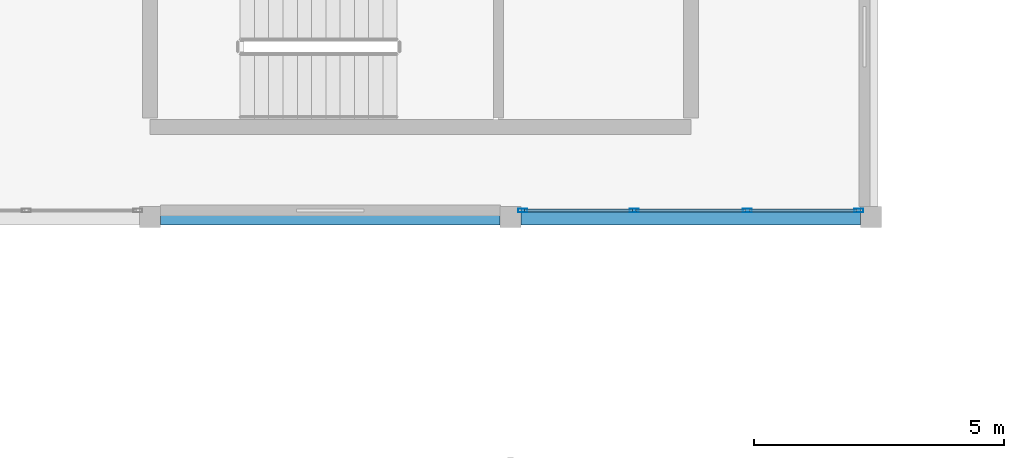
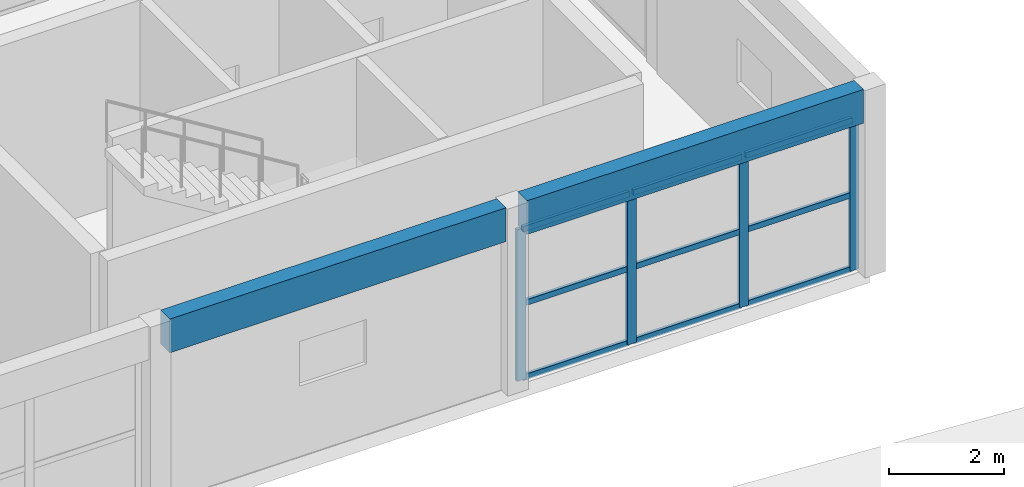
# One storey, part 34 of 68: 13 members, 2 beams, 1 element without a shape of its own.
"""IFC4 building model written with IfcOpenShell, lengths in metres."""

import ifcopenshell
import ifcopenshell.guid

model = None  # the IFC model being written
_history = None  # IfcOwnerHistory: only IFC2X3 demands one
_inside = {}  # id of a spatial element -> (the spatial element, [elements in it])
_under = {}  # id of a project, library or spatial element -> (it, [spatial elements below it])
_declared = {}  # id of a project -> (the project, [libraries it declares])
_typed = {}  # id of a type object -> (the type object, [elements of that type])
_made_of = {}  # id of a material, layer set ... -> (it, [elements and type objects made of it])


def new_model(schema):
    """Start an empty IFC model of exactly this schema.

    Asked for "IFC4X3", IfcOpenShell would pick the latest addendum, in which some entities
    have other attributes; the version numbers below select the first issue.
    IFC2X3 requires an IfcOwnerHistory on every rooted entity: one is made here for all.
    """
    global model, _history
    if schema == "IFC4X3":
        model = ifcopenshell.file(schema_version=(4, 3, 0, 0))
    else:
        model = ifcopenshell.file(schema=schema)
    _inside.clear()
    _under.clear()
    _declared.clear()
    _typed.clear()
    _made_of.clear()
    _history = None
    if model.schema == "IFC2X3":
        org = make("IfcOrganization", Name="unknown")
        user = make(
            "IfcPersonAndOrganization",
            ThePerson=make("IfcPerson", FamilyName="unknown"),
            TheOrganization=org,
        )
        app = make(
            "IfcApplication",
            ApplicationDeveloper=org,
            Version="unknown",
            ApplicationFullName="unknown",
            ApplicationIdentifier="unknown",
        )
        _history = make(
            "IfcOwnerHistory",
            OwningUser=user,
            OwningApplication=app,
            ChangeAction="ADDED",
            CreationDate=0,
        )
    return model


def make(cls, **values):
    """One entity of the class cls with the attributes given. An attribute that is None is left unset."""
    return model.create_entity(
        cls, **{name: value for name, value in values.items() if value is not None}
    )


def rooted(cls, **values):
    """An entity with a GlobalId (a new one), such as an element, a storey or a relation."""
    return make(cls, GlobalId=ifcopenshell.guid.new(), OwnerHistory=_history, **values)


def si_unit(unit_type, name, prefix=None):
    """IfcSIUnit, for example si_unit("LENGTHUNIT", "METRE", prefix="MILLI")."""
    return make("IfcSIUnit", UnitType=unit_type, Prefix=prefix, Name=name)


def assignment(units):
    """IfcUnitAssignment: the units of a project."""
    return None if units is None else make("IfcUnitAssignment", Units=units)


def point(xyz):
    """IfcCartesianPoint."""
    return None if xyz is None else make("IfcCartesianPoint", Coordinates=xyz)


def direction(xyz):
    """IfcDirection."""
    return None if xyz is None else make("IfcDirection", DirectionRatios=xyz)


def frame(location, z_axis=None, x_axis=None):
    """IfcAxis2Placement3D, a coordinate frame: its origin and axes. An axis left out is left unset."""
    return make(
        "IfcAxis2Placement3D",
        Location=point(location),
        Axis=direction(z_axis),
        RefDirection=direction(x_axis),
    )


def frame_2d(location, x_axis=None):
    """IfcAxis2Placement2D, a coordinate frame in the plane: its origin and x axis."""
    return make(
        "IfcAxis2Placement2D", Location=point(location), RefDirection=direction(x_axis)
    )


def origin():
    """The frame at (0, 0, 0) with its axes left unset."""
    return frame((0.0, 0.0, 0.0))


def origin_2d():
    """The frame at (0, 0) in the plane with its x axis left unset."""
    return frame_2d((0.0, 0.0))


def place(relative_to, where):
    """IfcLocalPlacement: puts the frame where relative to a parent placement (None: the world)."""
    return make(
        "IfcLocalPlacement", PlacementRelTo=relative_to, RelativePlacement=where
    )


def context(
    kind, dimensions, precision=None, world=None, true_north=None, identifier=None
):
    """IfcGeometricRepresentationContext, for example the 3D "Model" context."""
    return make(
        "IfcGeometricRepresentationContext",
        ContextIdentifier=identifier,
        ContextType=kind,
        CoordinateSpaceDimension=dimensions,
        Precision=precision,
        WorldCoordinateSystem=world,
        TrueNorth=true_north,
    )


def subcontext(parent, identifier, kind, view, scale=None):
    """IfcGeometricRepresentationSubContext, for example "Body" below "Model"."""
    return make(
        "IfcGeometricRepresentationSubContext",
        ContextIdentifier=identifier,
        ContextType=kind,
        ParentContext=parent,
        TargetScale=scale,
        TargetView=view,
    )


def project(units=None, contexts=None):
    """IfcProject with its units and contexts."""
    return rooted(
        "IfcProject",
        Name="project",
        RepresentationContexts=contexts,
        UnitsInContext=assignment(units),
    )


def spatial(cls, under=None, at=None, **own):
    """A site, building, storey or space (cls), placed at a placement, below another one or the project."""
    s = rooted(cls, ObjectPlacement=at, **own)
    if under is not None:
        _under.setdefault(under.id(), (under, []))[1].append(s)
    return s


def profile(cls, at=None, kind="AREA", **sizes):
    """A parametric profile (cls). Its sizes go by their IFC names, for example OverallWidth=200.0."""
    return make(cls, ProfileType=kind, Position=at, **sizes)


def rectangle(**sizes):
    """IfcRectangleProfileDef."""
    return profile("IfcRectangleProfileDef", **sizes)


def hollow_rectangle(**sizes):
    """IfcRectangleHollowProfileDef."""
    return profile("IfcRectangleHollowProfileDef", **sizes)


def extrude(swept, where, along, depth):
    """IfcExtrudedAreaSolid: the profile swept, set in the frame where, extruded along a direction by depth."""
    return make(
        "IfcExtrudedAreaSolid",
        SweptArea=swept,
        Position=where,
        ExtrudedDirection=direction(along),
        Depth=depth,
    )


def shape(context_of_items, identifier, shape_type, items):
    """IfcShapeRepresentation: the items that make up one representation, for example the "Body"."""
    return make(
        "IfcShapeRepresentation",
        ContextOfItems=context_of_items,
        RepresentationIdentifier=identifier,
        RepresentationType=shape_type,
        Items=items,
    )


def material(Name=None, Category=None):
    """IfcMaterial."""
    return make("IfcMaterial", Name=Name, Category=Category)


def material_profile(
    of_material, cross_section, Name=None, Category=None, Priority=None
):
    """IfcMaterialProfile: a cross section and its material."""
    return make(
        "IfcMaterialProfile",
        Name=Name,
        Material=of_material,
        Profile=cross_section,
        Priority=Priority,
        Category=Category,
    )


def profile_set(profiles, Name=None, composite=None):
    """IfcMaterialProfileSet."""
    return make(
        "IfcMaterialProfileSet",
        Name=Name,
        MaterialProfiles=profiles,
        CompositeProfile=composite,
    )


def made_of(thing, what):
    """Note that an element or type object is made of a material, layer set ...; save() writes the relation."""
    if what is not None:
        _made_of.setdefault(what.id(), (what, []))[1].append(thing)
    return thing


def type_object(cls, material=None, **own):
    """A type object (cls), such as IfcWallType, which elements share."""
    return made_of(rooted(cls, **own), material)


def element(
    cls,
    number,
    at=None,
    inside=None,
    cuts=None,
    type_object=None,
    material=None,
    context=None,
    identifier="Body",
    shape_type=None,
    held_by="IfcProductDefinitionShape",
    body=None,
    shapes=None,
    **own,
):
    """One element of the class cls, such as IfcWall. Its Tag is "e" and its number.

    at: its placement. inside: the storey or other place that contains it. cuts: it is an
    opening in that element (IfcRelVoidsElement). A single representation is given by context,
    identifier, shape_type and body (its items); several are given by shapes. held_by: the class
    of the entity that holds the representations. save() writes the other relations.
    """
    e = rooted(cls, Tag="e%d" % number, ObjectPlacement=at, **own)
    if body is not None:
        shapes = [shape(context, identifier, shape_type, body)]
    if shapes is not None:
        e.Representation = make(held_by, Representations=shapes)
    if inside is not None:
        _inside.setdefault(inside.id(), (inside, []))[1].append(e)
    if cuts is not None:
        rooted(
            "IfcRelVoidsElement", RelatingBuildingElement=cuts, RelatedOpeningElement=e
        )
    if type_object is not None:
        _typed.setdefault(type_object.id(), (type_object, []))[1].append(e)
    return made_of(e, material)


def aggregate(whole, parts):
    """IfcRelAggregates: a whole, such as a stair, and the parts it consists of."""
    return rooted("IfcRelAggregates", RelatingObject=whole, RelatedObjects=parts)


def save(model, path):
    """Write the relations noted so far, then the file.

    IfcRelAggregates (storeys below a building ...), IfcRelContainedInSpatialStructure (elements
    in a storey), IfcRelDefinesByType, IfcRelAssociatesMaterial and IfcRelDeclares: one each for
    every whole, place, type object, material and project.
    """
    for whole, parts in _under.values():
        aggregate(whole, parts)
    for where, things in _inside.values():
        rooted(
            "IfcRelContainedInSpatialStructure",
            RelatedElements=things,
            RelatingStructure=where,
        )
    for kind, things in _typed.values():
        rooted("IfcRelDefinesByType", RelatedObjects=things, RelatingType=kind)
    for what, things in _made_of.values():
        rooted("IfcRelAssociatesMaterial", RelatedObjects=things, RelatingMaterial=what)
    for by, libraries in _declared.values():
        rooted("IfcRelDeclares", RelatingContext=by, RelatedDefinitions=libraries)
    model.write(path)


model = new_model("IFC4")

# Units and contexts
model_context = context("Model", 3, precision=1e-05, world=origin(), true_north=direction((0.0, 1.0)))
body_context = subcontext(model_context, "Body", "Model", "MODEL_VIEW")
ifc_project = project(units=[si_unit("LENGTHUNIT", "METRE"), si_unit("AREAUNIT", "SQUARE_METRE"), si_unit("VOLUMEUNIT", "CUBIC_METRE"), si_unit("PLANEANGLEUNIT", "RADIAN"), si_unit("MASSUNIT", "GRAM", prefix="KILO")], contexts=[model_context])

# Site, building, storey
site_placement = place(None, origin())
site = spatial("IfcSite", under=ifc_project, at=site_placement, CompositionType="ELEMENT")
building_placement = place(site_placement, origin())
building = spatial("IfcBuilding", under=site, at=building_placement, Name="Bramvelor Terrace Health Centre", CompositionType="ELEMENT")
storey_placement = place(building_placement, frame((0.0, 0.0, 9.300048828125)))
storey = spatial("IfcBuildingStorey", under=building, at=storey_placement, Name="L03", CompositionType="ELEMENT", Elevation=9.300048828125)

# Beams
ifc_material_1 = material(Name="Glulam GL28h", Category="wood")
ifc_material_profile_1 = material_profile(ifc_material_1, rectangle(XDim=0.320068359375, YDim=0.719970703125, at=origin_2d()), Name="GL 320x720")
ifc_profile_set_1 = profile_set([ifc_material_profile_1], Name="Glulam GL28h")
beam_type = type_object("IfcBeamType", Name="BM-GL-G720", PredefinedType="BEAM", material=ifc_profile_set_1)
beam_1_placement = place(storey_placement, frame((79.409912109375, 86.39990234375, 3.6298828125), z_axis=(1.0, 0.0, 0.0), x_axis=(0.0, 1.0, 0.0)))
element("IfcBeam", 1, at=beam_1_placement, inside=storey, type_object=beam_type, Name="L03 Floor Girder", PredefinedType="BEAM", context=body_context, shape_type="SweptSolid", body=[
    extrude(rectangle(XDim=0.320068359375, YDim=0.719970703125, at=origin_2d()), origin(), (0.0, 0.0, 1.0), 6.780029296875),
])
beam_2_placement = place(storey_placement, frame((86.610107421875, 86.39990234375, 3.6298828125), z_axis=(1.0, 0.0, 0.0), x_axis=(0.0, 1.0, 0.0)))
element("IfcBeam", 2, at=beam_2_placement, inside=storey, type_object=beam_type, Name="L03 Floor Girder", PredefinedType="BEAM", context=body_context, shape_type="SweptSolid", body=[
    extrude(rectangle(XDim=0.320068359375, YDim=0.719970703125, at=origin_2d()), origin(), (0.0, 0.0, 1.0), 6.77978515625),
])

# Curtain wall, members
ifc_material_2 = material(Name="Anodized aluminium and double low-E glass", Category="aluminium")
curtain_wall_type = type_object("IfcCurtainWallType", Name="CW-SYS-27", PredefinedType="NOTDEFINED", material=ifc_material_2)
curtain_wall_placement = place(storey_placement, origin())
curtain_wall = element("IfcCurtainWall", 3, at=curtain_wall_placement, inside=storey, type_object=curtain_wall_type, Name="L03 Unitized Curtain Wall 179", PredefinedType="NOTDEFINED")
ifc_material_3 = material(Name="Anodized aluminium 6063-T6", Category="aluminium")
ifc_material_profile_2 = material_profile(ifc_material_3, hollow_rectangle(XDim=0.074951171875, YDim=0.179931640625, WallThickness=0.00341796875, at=origin_2d()), Name="ALU-MUL 75x180x3.5")
ifc_profile_set_2 = profile_set([ifc_material_profile_2], Name="Anodized aluminium 6063-T6")
member_type_1 = type_object("IfcMemberType", Name="CW-MUL-65x180", PredefinedType="MULLION", material=ifc_profile_set_2)
member_1_placement = place(storey_placement, frame((93.357421875, 86.530029296875, 0.0), z_axis=(0.0, 0.0, 1.0), x_axis=(0.0, -1.0, 0.0)))
member_1 = element("IfcMember", 4, at=member_1_placement, type_object=member_type_1, Name="CW-27 mullion 1", PredefinedType="MULLION", context=body_context, shape_type="SweptSolid", body=[
    extrude(hollow_rectangle(XDim=0.074951171875, YDim=0.179931640625, WallThickness=0.00341796875, at=origin_2d()), origin(), (0.0, 0.0, 1.0), 3.22998046875),
])
member_2_placement = place(storey_placement, frame((91.131591796875, 86.530029296875, 0.0), z_axis=(0.0, 0.0, 1.0), x_axis=(0.0, -1.0, 0.0)))
member_2 = element("IfcMember", 5, at=member_2_placement, type_object=member_type_1, Name="CW-27 mullion 2", PredefinedType="MULLION", context=body_context, shape_type="SweptSolid", body=[
    extrude(hollow_rectangle(XDim=0.074951171875, YDim=0.179931640625, WallThickness=0.00341796875, at=origin_2d()), origin(), (0.0, 0.0, 1.0), 3.22998046875),
])
member_3_placement = place(storey_placement, frame((88.868408203125, 86.530029296875, 0.0), z_axis=(0.0, 0.0, 1.0), x_axis=(0.0, -1.0, 0.0)))
member_3 = element("IfcMember", 6, at=member_3_placement, type_object=member_type_1, Name="CW-27 mullion 3", PredefinedType="MULLION", context=body_context, shape_type="SweptSolid", body=[
    extrude(hollow_rectangle(XDim=0.074951171875, YDim=0.179931640625, WallThickness=0.00341796875, at=origin_2d()), origin(), (0.0, 0.0, 1.0), 3.22998046875),
])
member_4_placement = place(storey_placement, frame((86.642578125, 86.530029296875, 0.0), z_axis=(0.0, 0.0, 1.0), x_axis=(0.0, -1.0, 0.0)))
member_4 = element("IfcMember", 7, at=member_4_placement, type_object=member_type_1, Name="CW-27 mullion 4", PredefinedType="MULLION", context=body_context, shape_type="SweptSolid", body=[
    extrude(hollow_rectangle(XDim=0.074951171875, YDim=0.179931640625, WallThickness=0.00341796875, at=origin_2d()), origin(), (0.0, 0.0, 1.0), 3.22998046875),
])
ifc_material_4 = material(Name="Anodized aluminium 6063-T6", Category="aluminium")
ifc_material_profile_3 = material_profile(ifc_material_4, hollow_rectangle(XDim=0.06494140625, YDim=0.1201171875, WallThickness=0.0029296875, at=origin_2d()), Name="ALU-TRN 65x120x3.0")
ifc_profile_set_3 = profile_set([ifc_material_profile_3], Name="Anodized aluminium 6063-T6")
member_type_2 = type_object("IfcMemberType", Name="CW-TRN-65x150", PredefinedType="USERDEFINED", material=ifc_profile_set_3)
member_5_placement = place(storey_placement, frame((93.320068359375, 86.530029296875, 0.032470703125), z_axis=(-1.0, 0.0, 0.0), x_axis=(0.0, -1.0, 0.0)))
member_5 = element("IfcMember", 8, at=member_5_placement, type_object=member_type_2, Name="CW-27 transom 1.1", ObjectType="TRANSOM", PredefinedType="USERDEFINED", context=body_context, shape_type="SweptSolid", body=[
    extrude(hollow_rectangle(XDim=0.06494140625, YDim=0.1201171875, WallThickness=0.0029296875, at=origin_2d()), origin(), (0.0, 0.0, 1.0), 2.15087890625),
])
member_6_placement = place(storey_placement, frame((93.320068359375, 86.530029296875, 1.614990234375), z_axis=(-1.0, 0.0, 0.0), x_axis=(0.0, -1.0, 0.0)))
member_6 = element("IfcMember", 9, at=member_6_placement, type_object=member_type_2, Name="CW-27 transom 1.2", ObjectType="TRANSOM", PredefinedType="USERDEFINED", context=body_context, shape_type="SweptSolid", body=[
    extrude(hollow_rectangle(XDim=0.06494140625, YDim=0.1201171875, WallThickness=0.0029296875, at=origin_2d()), origin(), (0.0, 0.0, 1.0), 2.15087890625),
])
member_7_placement = place(storey_placement, frame((93.320068359375, 86.530029296875, 3.197509765625), z_axis=(-1.0, 0.0, 0.0), x_axis=(0.0, -1.0, 0.0)))
member_7 = element("IfcMember", 10, at=member_7_placement, type_object=member_type_2, Name="CW-27 transom 1.3", ObjectType="TRANSOM", PredefinedType="USERDEFINED", context=body_context, shape_type="SweptSolid", body=[
    extrude(hollow_rectangle(XDim=0.06494140625, YDim=0.1201171875, WallThickness=0.0029296875, at=origin_2d()), origin(), (0.0, 0.0, 1.0), 2.15087890625),
])
member_8_placement = place(storey_placement, frame((91.09423828125, 86.530029296875, 0.032470703125), z_axis=(-1.0, 0.0, 0.0), x_axis=(0.0, -1.0, 0.0)))
member_8 = element("IfcMember", 11, at=member_8_placement, type_object=member_type_2, Name="CW-27 transom 2.1", ObjectType="TRANSOM", PredefinedType="USERDEFINED", context=body_context, shape_type="SweptSolid", body=[
    extrude(hollow_rectangle(XDim=0.06494140625, YDim=0.1201171875, WallThickness=0.0029296875, at=origin_2d()), origin(), (0.0, 0.0, 1.0), 2.1884765625),
])
member_9_placement = place(storey_placement, frame((91.09423828125, 86.530029296875, 1.614990234375), z_axis=(-1.0, 0.0, 0.0), x_axis=(0.0, -1.0, 0.0)))
member_9 = element("IfcMember", 12, at=member_9_placement, type_object=member_type_2, Name="CW-27 transom 2.2", ObjectType="TRANSOM", PredefinedType="USERDEFINED", context=body_context, shape_type="SweptSolid", body=[
    extrude(hollow_rectangle(XDim=0.06494140625, YDim=0.1201171875, WallThickness=0.0029296875, at=origin_2d()), origin(), (0.0, 0.0, 1.0), 2.1884765625),
])
member_10_placement = place(storey_placement, frame((91.09423828125, 86.530029296875, 3.197509765625), z_axis=(-1.0, 0.0, 0.0), x_axis=(0.0, -1.0, 0.0)))
member_10 = element("IfcMember", 13, at=member_10_placement, type_object=member_type_2, Name="CW-27 transom 2.3", ObjectType="TRANSOM", PredefinedType="USERDEFINED", context=body_context, shape_type="SweptSolid", body=[
    extrude(hollow_rectangle(XDim=0.06494140625, YDim=0.1201171875, WallThickness=0.0029296875, at=origin_2d()), origin(), (0.0, 0.0, 1.0), 2.1884765625),
])
member_11_placement = place(storey_placement, frame((88.830810546875, 86.530029296875, 0.032470703125), z_axis=(-1.0, 0.0, 0.0), x_axis=(0.0, -1.0, 0.0)))
member_11 = element("IfcMember", 14, at=member_11_placement, type_object=member_type_2, Name="CW-27 transom 3.1", ObjectType="TRANSOM", PredefinedType="USERDEFINED", context=body_context, shape_type="SweptSolid", body=[
    extrude(hollow_rectangle(XDim=0.06494140625, YDim=0.1201171875, WallThickness=0.0029296875, at=origin_2d()), origin(), (0.0, 0.0, 1.0), 2.15087890625),
])
member_12_placement = place(storey_placement, frame((88.830810546875, 86.530029296875, 1.614990234375), z_axis=(-1.0, 0.0, 0.0), x_axis=(0.0, -1.0, 0.0)))
member_12 = element("IfcMember", 15, at=member_12_placement, type_object=member_type_2, Name="CW-27 transom 3.2", ObjectType="TRANSOM", PredefinedType="USERDEFINED", context=body_context, shape_type="SweptSolid", body=[
    extrude(hollow_rectangle(XDim=0.06494140625, YDim=0.1201171875, WallThickness=0.0029296875, at=origin_2d()), origin(), (0.0, 0.0, 1.0), 2.15087890625),
])
member_13_placement = place(storey_placement, frame((88.830810546875, 86.530029296875, 3.197509765625), z_axis=(-1.0, 0.0, 0.0), x_axis=(0.0, -1.0, 0.0)))
member_13 = element("IfcMember", 16, at=member_13_placement, type_object=member_type_2, Name="CW-27 transom 3.3", ObjectType="TRANSOM", PredefinedType="USERDEFINED", context=body_context, shape_type="SweptSolid", body=[
    extrude(hollow_rectangle(XDim=0.06494140625, YDim=0.1201171875, WallThickness=0.0029296875, at=origin_2d()), origin(), (0.0, 0.0, 1.0), 2.15087890625),
])
aggregate(curtain_wall, [member_1, member_2, member_3, member_4, member_5, member_6, member_7, member_8, member_9, member_10, member_11, member_12, member_13])

save(model, "model.ifc")
